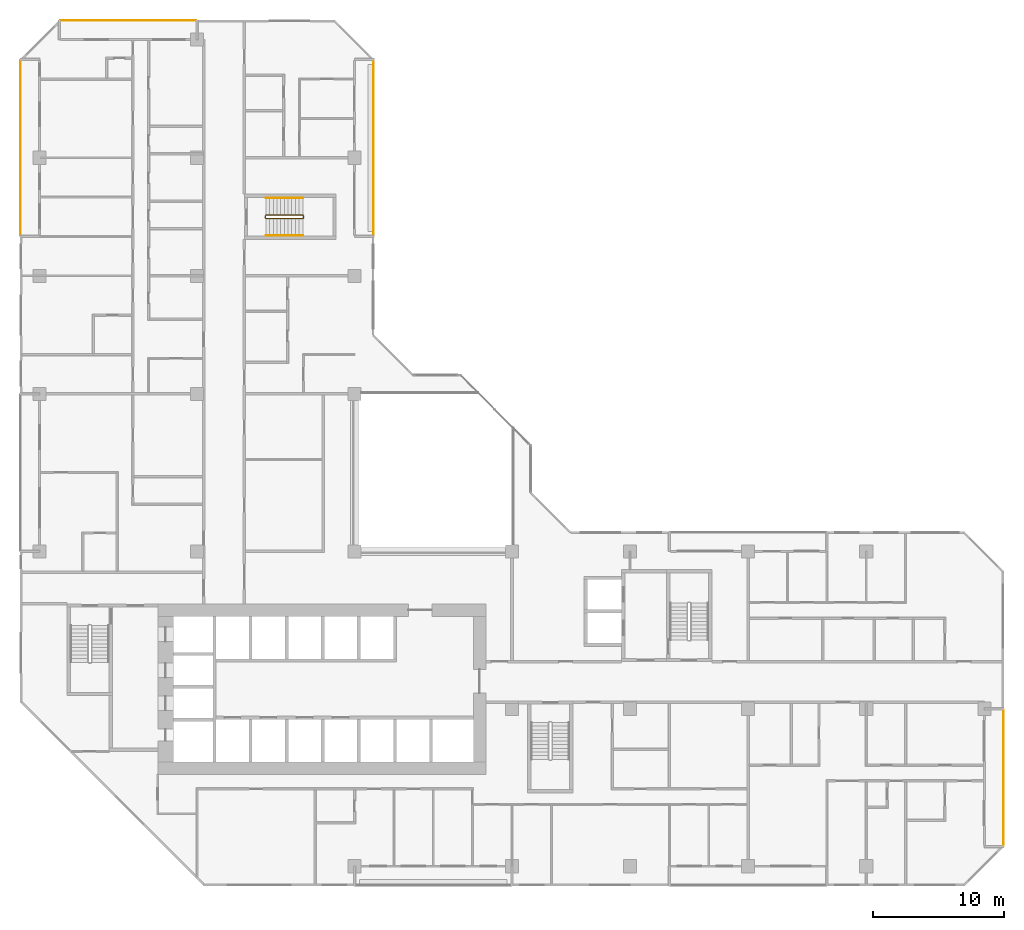
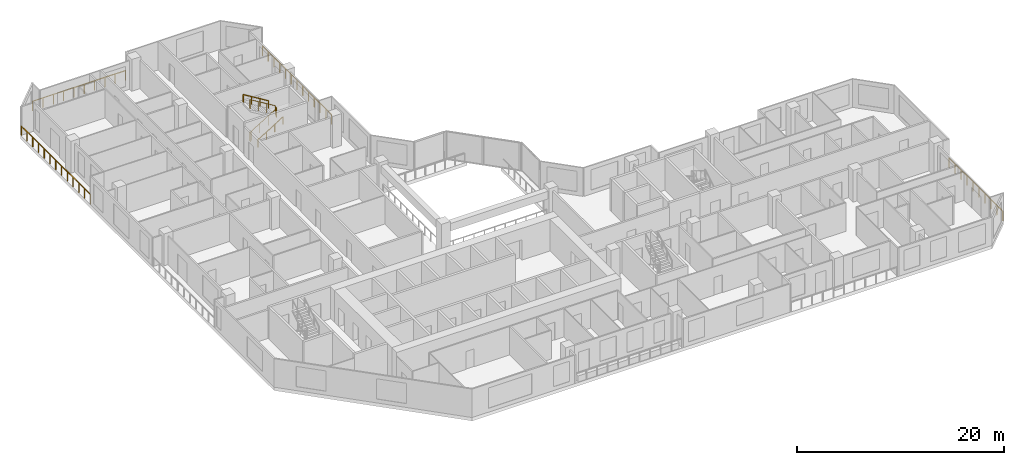
# One storey, part 15 of 15: 7 railings.
"""IFC4 building model written with IfcOpenShell, lengths in metres."""

from ifc_helpers import new_model, si_unit, direction, frame, origin, origin_2d, place, context, subcontext, project, spatial, rectangle, extrude, material, type_object, element, save


model = new_model("IFC4")

# Units and contexts
model_context = context("Model", 3, precision=1e-05, world=origin(), true_north=direction((0.0, 1.0)))
body_context = subcontext(model_context, "Body", "Model", "MODEL_VIEW")
ifc_project = project(units=[si_unit("LENGTHUNIT", "METRE"), si_unit("AREAUNIT", "SQUARE_METRE"), si_unit("VOLUMEUNIT", "CUBIC_METRE"), si_unit("PLANEANGLEUNIT", "RADIAN"), si_unit("MASSUNIT", "GRAM", prefix="KILO")], contexts=[model_context])

# Site, building, storey
site_placement = place(None, origin())
site = spatial("IfcSite", under=ifc_project, at=site_placement, CompositionType="ELEMENT")
building_placement = place(site_placement, origin())
building = spatial("IfcBuilding", under=site, at=building_placement, Name="Chenar Terraces", CompositionType="ELEMENT")
storey_placement = place(building_placement, frame((0.0, 0.0, 125.64990234375)))
storey = spatial("IfcBuildingStorey", under=building, at=storey_placement, Name="L29", CompositionType="ELEMENT", Elevation=125.64990234375)

# Railings
ifc_material_1 = material(Name="Stainless steel and glass", Category="steel")
railing_type_1 = type_object("IfcRailingType", Name="Loggia guard 1150", PredefinedType="GUARDRAIL", material=ifc_material_1)
railing_1_placement = place(storey_placement, frame((25.449951171875, 48.074951171875, 0.0)))
element("IfcRailing", 1, at=railing_1_placement, inside=storey, type_object=railing_type_1, Name="Loggia guard", PredefinedType="GUARDRAIL", context=body_context, shape_type="SweptSolid", body=[
    extrude(rectangle(XDim=0.048095703125, YDim=0.048095703125, at=origin_2d()), frame((0.0, 0.0, 1.1259765625), z_axis=(0.0, 1.0, 0.0), x_axis=(-1.0, 0.0, 0.0)), (0.0, 0.0, 1.0), 13.35009765625),
    extrude(rectangle(XDim=0.0419921875, YDim=0.0419921875, at=origin_2d()), origin(), (0.0, 0.0, 1.0), 1.101806640625),
    extrude(rectangle(XDim=0.0419921875, YDim=0.0419921875, at=origin_2d()), frame((0.0, 1.112548828125, 0.0)), (0.0, 0.0, 1.0), 1.101806640625),
    extrude(rectangle(XDim=0.0419921875, YDim=0.0419921875, at=origin_2d()), frame((0.0, 2.22509765625, 0.0)), (0.0, 0.0, 1.0), 1.101806640625),
    extrude(rectangle(XDim=0.0419921875, YDim=0.0419921875, at=origin_2d()), frame((0.0, 3.33740234375, 0.0)), (0.0, 0.0, 1.0), 1.101806640625),
    extrude(rectangle(XDim=0.0419921875, YDim=0.0419921875, at=origin_2d()), frame((0.0, 4.449951171875, 0.0)), (0.0, 0.0, 1.0), 1.101806640625),
    extrude(rectangle(XDim=0.0419921875, YDim=0.0419921875, at=origin_2d()), frame((0.0, 5.5625, 0.0)), (0.0, 0.0, 1.0), 1.101806640625),
    extrude(rectangle(XDim=0.0419921875, YDim=0.0419921875, at=origin_2d()), frame((0.0, 6.675048828125, 0.0)), (0.0, 0.0, 1.0), 1.101806640625),
    extrude(rectangle(XDim=0.0419921875, YDim=0.0419921875, at=origin_2d()), frame((0.0, 7.78759765625, 0.0)), (0.0, 0.0, 1.0), 1.101806640625),
    extrude(rectangle(XDim=0.0419921875, YDim=0.0419921875, at=origin_2d()), frame((0.0, 8.900146484375, 0.0)), (0.0, 0.0, 1.0), 1.101806640625),
    extrude(rectangle(XDim=0.0419921875, YDim=0.0419921875, at=origin_2d()), frame((0.0, 10.0126953125, 0.0)), (0.0, 0.0, 1.0), 1.101806640625),
    extrude(rectangle(XDim=0.0419921875, YDim=0.0419921875, at=origin_2d()), frame((0.0, 11.125, 0.0)), (0.0, 0.0, 1.0), 1.101806640625),
    extrude(rectangle(XDim=0.0419921875, YDim=0.0419921875, at=origin_2d()), frame((0.0, 12.237548828125, 0.0)), (0.0, 0.0, 1.0), 1.101806640625),
    extrude(rectangle(XDim=0.0419921875, YDim=0.0419921875, at=origin_2d()), frame((0.0, 13.35009765625, 0.0)), (0.0, 0.0, 1.0), 1.101806640625),
])
railing_2_placement = place(storey_placement, frame((73.449951171875, 1.574951171875, 0.0)))
element("IfcRailing", 2, at=railing_2_placement, inside=storey, type_object=railing_type_1, Name="Loggia guard", PredefinedType="GUARDRAIL", context=body_context, shape_type="SweptSolid", body=[
    extrude(rectangle(XDim=0.048095703125, YDim=0.048095703125, at=origin_2d()), frame((0.0, 0.0, 1.1259765625), z_axis=(0.0, 1.0, 0.0), x_axis=(-1.0, 0.0, 0.0)), (0.0, 0.0, 1.0), 10.35009765625),
    extrude(rectangle(XDim=0.0419921875, YDim=0.0419921875, at=origin_2d()), origin(), (0.0, 0.0, 1.0), 1.101806640625),
    extrude(rectangle(XDim=0.0419921875, YDim=0.0419921875, at=origin_2d()), frame((0.0, 1.14990234375, 0.0)), (0.0, 0.0, 1.0), 1.101806640625),
    extrude(rectangle(XDim=0.0419921875, YDim=0.0419921875, at=origin_2d()), frame((0.0, 2.300048828125, 0.0)), (0.0, 0.0, 1.0), 1.101806640625),
    extrude(rectangle(XDim=0.0419921875, YDim=0.0419921875, at=origin_2d()), frame((0.0, 3.449951171875, 0.0)), (0.0, 0.0, 1.0), 1.101806640625),
    extrude(rectangle(XDim=0.0419921875, YDim=0.0419921875, at=origin_2d()), frame((0.0, 4.60009765625, 0.0)), (0.0, 0.0, 1.0), 1.101806640625),
    extrude(rectangle(XDim=0.0419921875, YDim=0.0419921875, at=origin_2d()), frame((0.0, 5.75, 0.0)), (0.0, 0.0, 1.0), 1.101806640625),
    extrude(rectangle(XDim=0.0419921875, YDim=0.0419921875, at=origin_2d()), frame((0.0, 6.900146484375, 0.0)), (0.0, 0.0, 1.0), 1.101806640625),
    extrude(rectangle(XDim=0.0419921875, YDim=0.0419921875, at=origin_2d()), frame((0.0, 8.050048828125, 0.0)), (0.0, 0.0, 1.0), 1.101806640625),
    extrude(rectangle(XDim=0.0419921875, YDim=0.0419921875, at=origin_2d()), frame((0.0, 9.2001953125, 0.0)), (0.0, 0.0, 1.0), 1.101806640625),
    extrude(rectangle(XDim=0.0419921875, YDim=0.0419921875, at=origin_2d()), frame((0.0, 10.35009765625, 0.0)), (0.0, 0.0, 1.0), 1.101806640625),
])
railing_3_placement = place(storey_placement, frame((11.925048828125, 64.449951171875, 0.0)))
element("IfcRailing", 3, at=railing_3_placement, inside=storey, type_object=railing_type_1, Name="Loggia guard", PredefinedType="GUARDRAIL", context=body_context, shape_type="SweptSolid", body=[
    extrude(rectangle(XDim=0.048095703125, YDim=0.048095703125, at=origin_2d()), frame((0.0, 0.0, 1.1259765625), z_axis=(-1.0, 0.0, 0.0), x_axis=(0.0, -1.0, 0.0)), (0.0, 0.0, 1.0), 10.35009765625),
    extrude(rectangle(XDim=0.0419921875, YDim=0.0419921875, at=origin_2d()), origin(), (0.0, 0.0, 1.0), 1.101806640625),
    extrude(rectangle(XDim=0.0419921875, YDim=0.0419921875, at=origin_2d()), frame((-1.14990234375, 0.0, 0.0)), (0.0, 0.0, 1.0), 1.101806640625),
    extrude(rectangle(XDim=0.0419921875, YDim=0.0419921875, at=origin_2d()), frame((-2.300048828125, 0.0, 0.0)), (0.0, 0.0, 1.0), 1.101806640625),
    extrude(rectangle(XDim=0.0419921875, YDim=0.0419921875, at=origin_2d()), frame((-3.449951171875, 0.0, 0.0)), (0.0, 0.0, 1.0), 1.101806640625),
    extrude(rectangle(XDim=0.0419921875, YDim=0.0419921875, at=origin_2d()), frame((-4.60009765625, 0.0, 0.0)), (0.0, 0.0, 1.0), 1.101806640625),
    extrude(rectangle(XDim=0.0419921875, YDim=0.0419921875, at=origin_2d()), frame((-5.75, 0.0, 0.0)), (0.0, 0.0, 1.0), 1.101806640625),
    extrude(rectangle(XDim=0.0419921875, YDim=0.0419921875, at=origin_2d()), frame((-6.900146484375, 0.0, 0.0)), (0.0, 0.0, 1.0), 1.101806640625),
    extrude(rectangle(XDim=0.0419921875, YDim=0.0419921875, at=origin_2d()), frame((-8.050048828125, 0.0, 0.0)), (0.0, 0.0, 1.0), 1.101806640625),
    extrude(rectangle(XDim=0.0419921875, YDim=0.0419921875, at=origin_2d()), frame((-9.2001953125, 0.0, 0.0)), (0.0, 0.0, 1.0), 1.101806640625),
    extrude(rectangle(XDim=0.0419921875, YDim=0.0419921875, at=origin_2d()), frame((-10.35009765625, 0.0, 0.0)), (0.0, 0.0, 1.0), 1.101806640625),
])
railing_4_placement = place(storey_placement, frame((-1.449951171875, 61.425048828125, 0.0)))
element("IfcRailing", 4, at=railing_4_placement, inside=storey, type_object=railing_type_1, Name="Loggia guard", PredefinedType="GUARDRAIL", context=body_context, shape_type="SweptSolid", body=[
    extrude(rectangle(XDim=0.048095703125, YDim=0.048095703125, at=origin_2d()), frame((0.0, 0.0, 1.1259765625), z_axis=(0.0, -1.0, 0.0), x_axis=(1.0, 0.0, 0.0)), (0.0, 0.0, 1.0), 13.35009765625),
    extrude(rectangle(XDim=0.0419921875, YDim=0.0419921875, at=origin_2d()), origin(), (0.0, 0.0, 1.0), 1.101806640625),
    extrude(rectangle(XDim=0.0419921875, YDim=0.0419921875, at=origin_2d()), frame((0.0, -1.112548828125, 0.0)), (0.0, 0.0, 1.0), 1.101806640625),
    extrude(rectangle(XDim=0.0419921875, YDim=0.0419921875, at=origin_2d()), frame((0.0, -2.22509765625, 0.0)), (0.0, 0.0, 1.0), 1.101806640625),
    extrude(rectangle(XDim=0.0419921875, YDim=0.0419921875, at=origin_2d()), frame((0.0, -3.33740234375, 0.0)), (0.0, 0.0, 1.0), 1.101806640625),
    extrude(rectangle(XDim=0.0419921875, YDim=0.0419921875, at=origin_2d()), frame((0.0, -4.449951171875, 0.0)), (0.0, 0.0, 1.0), 1.101806640625),
    extrude(rectangle(XDim=0.0419921875, YDim=0.0419921875, at=origin_2d()), frame((0.0, -5.5625, 0.0)), (0.0, 0.0, 1.0), 1.101806640625),
    extrude(rectangle(XDim=0.0419921875, YDim=0.0419921875, at=origin_2d()), frame((0.0, -6.675048828125, 0.0)), (0.0, 0.0, 1.0), 1.101806640625),
    extrude(rectangle(XDim=0.0419921875, YDim=0.0419921875, at=origin_2d()), frame((0.0, -7.78759765625, 0.0)), (0.0, 0.0, 1.0), 1.101806640625),
    extrude(rectangle(XDim=0.0419921875, YDim=0.0419921875, at=origin_2d()), frame((0.0, -8.900146484375, 0.0)), (0.0, 0.0, 1.0), 1.101806640625),
    extrude(rectangle(XDim=0.0419921875, YDim=0.0419921875, at=origin_2d()), frame((0.0, -10.0126953125, 0.0)), (0.0, 0.0, 1.0), 1.101806640625),
    extrude(rectangle(XDim=0.0419921875, YDim=0.0419921875, at=origin_2d()), frame((0.0, -11.125, 0.0)), (0.0, 0.0, 1.0), 1.101806640625),
    extrude(rectangle(XDim=0.0419921875, YDim=0.0419921875, at=origin_2d()), frame((0.0, -12.237548828125, 0.0)), (0.0, 0.0, 1.0), 1.101806640625),
    extrude(rectangle(XDim=0.0419921875, YDim=0.0419921875, at=origin_2d()), frame((0.0, -13.35009765625, 0.0)), (0.0, 0.0, 1.0), 1.101806640625),
])
ifc_material_2 = material(Name="Powder-coated steel", Category="steel")
railing_type_2 = type_object("IfcRailingType", Name="Stair guard 1100", PredefinedType="GUARDRAIL", material=ifc_material_2)
railing_5_placement = place(storey_placement, frame((17.25, 49.625, 3.75)))
element("IfcRailing", 5, at=railing_5_placement, inside=storey, type_object=railing_type_2, Name="L29 ST4 stair guard 1", PredefinedType="GUARDRAIL", context=body_context, shape_type="SweptSolid", body=[
    extrude(rectangle(XDim=0.048095703125, YDim=0.048095703125, at=origin_2d()), frame((0.0, 0.0, 1.076171875), z_axis=(0.854202870247, 0.0, -0.519939858505), x_axis=(0.0, 1.0, 0.0)), (0.0, 0.0, 1.0), 3.278076171875),
    extrude(rectangle(XDim=0.048095703125, YDim=0.048095703125, at=origin_2d()), frame((2.800048828125, 0.0, -0.62841796875), z_axis=(0.270899902878, -0.270899902878, -0.923702595667), x_axis=(0.707106781187, 0.707106781187, 0.0)), (0.0, 0.0, 1.0), 0.184814453125),
    extrude(rectangle(XDim=0.048095703125, YDim=0.048095703125, at=origin_2d()), frame((2.85009765625, -0.050048828125, -0.798828125), z_axis=(0.0, -1.0, 0.0), x_axis=(1.0, 0.0, 0.0)), (0.0, 0.0, 1.0), 0.14990234375),
    extrude(rectangle(XDim=0.048095703125, YDim=0.048095703125, at=origin_2d()), frame((2.85009765625, -0.199951171875, -0.798828125), z_axis=(-0.707106781187, -0.707106781187, 0.0), x_axis=(0.707106781187, -0.707106781187, 0.0)), (0.0, 0.0, 1.0), 0.07080078125),
    extrude(rectangle(XDim=0.048095703125, YDim=0.048095703125, at=origin_2d()), frame((2.800048828125, -0.25, -0.798828125), z_axis=(-0.854202870247, 0.0, -0.519939858505), x_axis=(0.0, -1.0, 0.0)), (0.0, 0.0, 1.0), 3.278076171875),
    extrude(rectangle(XDim=0.048095703125, YDim=0.048095703125, at=origin_2d()), frame((0.0, -0.25, -2.50341796875), z_axis=(-0.270899902878, 0.270899902878, -0.923702595667), x_axis=(-0.707106781187, -0.707106781187, 0.0)), (0.0, 0.0, 1.0), 0.184814453125),
    extrude(rectangle(XDim=0.048095703125, YDim=0.048095703125, at=origin_2d()), frame((-0.050048828125, -0.199951171875, -2.673828125), z_axis=(0.0, 1.0, 0.0), x_axis=(-1.0, 0.0, 0.0)), (0.0, 0.0, 1.0), 0.14990234375),
    extrude(rectangle(XDim=0.0419921875, YDim=0.0419921875, at=origin_2d()), origin(), (0.0, 0.0, 1.0), 1.052001953125),
    extrude(rectangle(XDim=0.0419921875, YDim=0.0419921875, at=origin_2d()), frame((0.933349609375, 0.0, -0.568115234375)), (0.0, 0.0, 1.0), 1.052001953125),
    extrude(rectangle(XDim=0.0419921875, YDim=0.0419921875, at=origin_2d()), frame((1.86669921875, 0.0, -1.13623046875)), (0.0, 0.0, 1.0), 1.052001953125),
    extrude(rectangle(XDim=0.0419921875, YDim=0.0419921875, at=origin_2d()), frame((2.800048828125, 0.0, -1.704345703125)), (0.0, 0.0, 1.0), 1.052001953125),
    extrude(rectangle(XDim=0.0419921875, YDim=0.0419921875, at=origin_2d()), frame((2.85009765625, -0.050048828125, -1.875)), (0.0, 0.0, 1.0), 1.052001953125),
    extrude(rectangle(XDim=0.0419921875, YDim=0.0419921875, at=origin_2d()), frame((2.85009765625, -0.199951171875, -1.875)), (0.0, 0.0, 1.0), 1.052001953125),
    extrude(rectangle(XDim=0.0419921875, YDim=0.0419921875, at=origin_2d()), frame((2.800048828125, -0.25, -1.875)), (0.0, 0.0, 1.0), 1.052001953125),
    extrude(rectangle(XDim=0.0419921875, YDim=0.0419921875, at=origin_2d()), frame((1.86669921875, -0.25, -2.443115234375)), (0.0, 0.0, 1.0), 1.052001953125),
    extrude(rectangle(XDim=0.0419921875, YDim=0.0419921875, at=origin_2d()), frame((0.933349609375, -0.25, -3.01123046875)), (0.0, 0.0, 1.0), 1.052001953125),
    extrude(rectangle(XDim=0.0419921875, YDim=0.0419921875, at=origin_2d()), frame((0.0, -0.25, -3.579345703125)), (0.0, 0.0, 1.0), 1.052001953125),
    extrude(rectangle(XDim=0.0419921875, YDim=0.0419921875, at=origin_2d()), frame((-0.050048828125, -0.199951171875, -3.75)), (0.0, 0.0, 1.0), 1.052001953125),
    extrude(rectangle(XDim=0.0419921875, YDim=0.0419921875, at=origin_2d()), frame((-0.050048828125, -0.050048828125, -3.75)), (0.0, 0.0, 1.0), 1.052001953125),
])
ifc_material_3 = material(Name="Powder-coated steel", Category="steel")
railing_type_3 = type_object("IfcRailingType", Name="Stair handrail 900", PredefinedType="HANDRAIL", material=ifc_material_3)
railing_6_placement = place(storey_placement, frame((17.25, 48.074951171875, 0.170654296875)))
element("IfcRailing", 6, at=railing_6_placement, inside=storey, type_object=railing_type_3, Name="L29 ST4 stair handrail 1", PredefinedType="HANDRAIL", context=body_context, shape_type="SweptSolid", body=[
    extrude(rectangle(XDim=0.048095703125, YDim=0.048095703125, at=origin_2d()), frame((0.0, 0.0, 0.8759765625), z_axis=(0.854202870247, 0.0, 0.519939858505), x_axis=(0.0, 1.0, 0.0)), (0.0, 0.0, 1.0), 3.278076171875),
    extrude(rectangle(XDim=0.0419921875, YDim=0.0419921875, at=origin_2d()), origin(), (0.0, 0.0, 1.0), 0.851806640625),
    extrude(rectangle(XDim=0.0419921875, YDim=0.0419921875, at=origin_2d()), frame((0.933349609375, 0.0, 0.568115234375)), (0.0, 0.0, 1.0), 0.851806640625),
    extrude(rectangle(XDim=0.0419921875, YDim=0.0419921875, at=origin_2d()), frame((1.86669921875, 0.0, 1.13623046875)), (0.0, 0.0, 1.0), 0.851806640625),
    extrude(rectangle(XDim=0.0419921875, YDim=0.0419921875, at=origin_2d()), frame((2.800048828125, 0.0, 1.704345703125)), (0.0, 0.0, 1.0), 0.851806640625),
])
railing_7_placement = place(storey_placement, frame((20.050048828125, 50.925048828125, 2.045654296875)))
element("IfcRailing", 7, at=railing_7_placement, inside=storey, type_object=railing_type_3, Name="L29 ST4 stair handrail 2", PredefinedType="HANDRAIL", context=body_context, shape_type="SweptSolid", body=[
    extrude(rectangle(XDim=0.048095703125, YDim=0.048095703125, at=origin_2d()), frame((0.0, 0.0, 0.8759765625), z_axis=(-0.854202870247, 0.0, 0.519939858505), x_axis=(0.0, -1.0, 0.0)), (0.0, 0.0, 1.0), 3.278076171875),
    extrude(rectangle(XDim=0.0419921875, YDim=0.0419921875, at=origin_2d()), origin(), (0.0, 0.0, 1.0), 0.851806640625),
    extrude(rectangle(XDim=0.0419921875, YDim=0.0419921875, at=origin_2d()), frame((-0.933349609375, 0.0, 0.568115234375)), (0.0, 0.0, 1.0), 0.851806640625),
    extrude(rectangle(XDim=0.0419921875, YDim=0.0419921875, at=origin_2d()), frame((-1.86669921875, 0.0, 1.13623046875)), (0.0, 0.0, 1.0), 0.851806640625),
    extrude(rectangle(XDim=0.0419921875, YDim=0.0419921875, at=origin_2d()), frame((-2.800048828125, 0.0, 1.704345703125)), (0.0, 0.0, 1.0), 0.851806640625),
])

save(model, "model.ifc")
